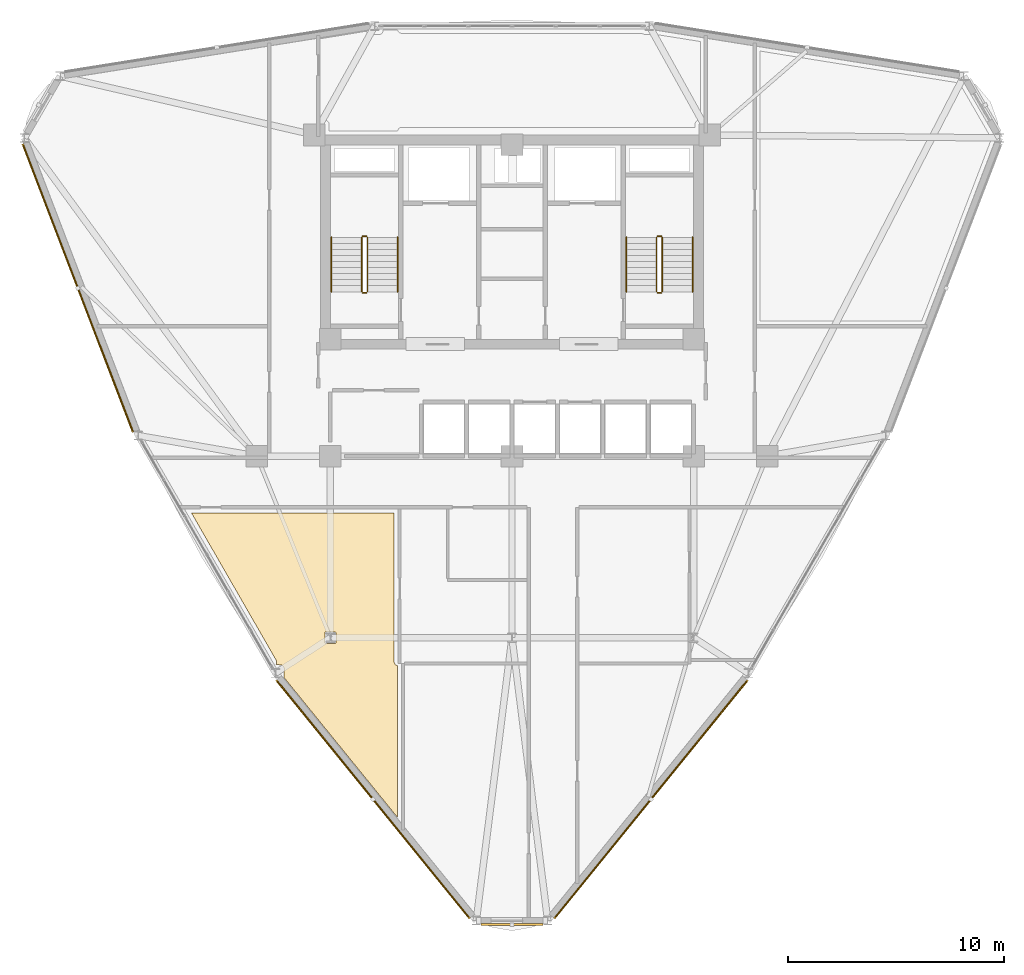
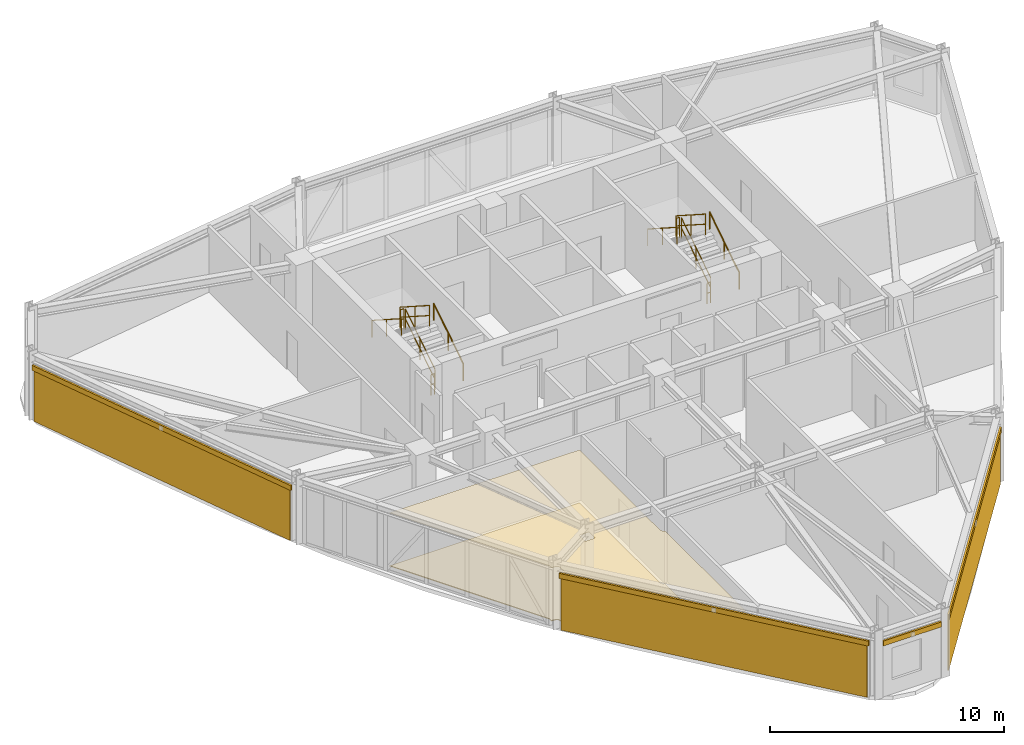
# One storey, part 13 of 14: 12 railings, 5 coverings, 4 shading devices.
"""IFC4 building model written with IfcOpenShell, lengths in metres."""

from ifc_helpers import new_model, si_unit, derived_unit, direction, frame, origin, origin_2d, place, context, subcontext, project, spatial, polyline, hollow_rectangle, circle, outline, extrude, source, transform, mapped, material, layer, layer_set, material_profile, profile_set, type_object, element, save


model = new_model("IFC4")

# Units and contexts
model_context = context("Model", 3, precision=1e-05, world=origin(), true_north=direction((0.0, 1.0)))
body_context = subcontext(model_context, "Body", "Model", "MODEL_VIEW")
ifc_project = project(units=[si_unit("LENGTHUNIT", "METRE"), si_unit("AREAUNIT", "SQUARE_METRE"), si_unit("VOLUMEUNIT", "CUBIC_METRE"), si_unit("PLANEANGLEUNIT", "RADIAN"), si_unit("MASSUNIT", "GRAM", prefix="KILO"), derived_unit("THERMALTRANSMITTANCEUNIT", [(si_unit("POWERUNIT", "WATT"), 1), (si_unit("LENGTHUNIT", "METRE"), -2), (si_unit("THERMODYNAMICTEMPERATUREUNIT", "KELVIN"), -1)])], contexts=[model_context])

# Site, building, storey
site_placement = place(None, origin())
site = spatial("IfcSite", under=ifc_project, at=site_placement, CompositionType="ELEMENT")
building_placement = place(site_placement, origin())
building = spatial("IfcBuilding", under=site, at=building_placement, Name="Korsvarv Bourse and Concert Hall", CompositionType="ELEMENT")
storey_placement = place(building_placement, frame((0.0, 0.0, 172.199951171875)))
storey = spatial("IfcBuildingStorey", under=building, at=storey_placement, Name="L44", CompositionType="ELEMENT", Elevation=172.199951171875)

# Coverings
ifc_material_1 = material(Name="Perforated mineral-wool and birch acoustic baffle ceiling", Category="wood")
ifc_layer_1 = layer(ifc_material_1, 0.02490234375)
ifc_layer_set_1 = layer_set([ifc_layer_1], Name="Perforated mineral-wool and birch acoustic baffle ceiling")
covering_type_1 = type_object("IfcCoveringType", Name="COV-CEIL-1", PredefinedType="CEILING", material=ifc_layer_set_1)
covering_1_placement = place(storey_placement, frame((0.0, 0.0, 2.780029296875)))
element("IfcCovering", 1, at=covering_1_placement, inside=storey, type_object=covering_type_1, Name="L44 acoustic baffle ceiling 3", PredefinedType="CEILING", context=body_context, shape_type="SweptSolid", body=[
    extrude(outline(polyline([(25.084228515625, 22.755615234375), (25.10205078125, 22.785400390625), (25.11376953125, 22.81787109375), (25.118896484375, 22.85205078125), (25.11767578125, 22.88671875), (25.109619140625, 22.92041015625), (25.09521484375, 22.951904296875), (21.172119140625, 29.77001953125), (30.550048828125, 29.77001953125), (30.550048828125, 22.889892578125), (30.5537109375, 22.853759765625), (30.564697265625, 22.819091796875), (30.582275390625, 22.787109375), (30.60595703125, 22.759521484375), (30.634765625, 22.7373046875), (30.66748046875, 22.72119140625), (30.70263671875, 22.712158203125), (30.7099609375, 15.679931640625), (25.444091796875, 22.1689453125), (25.453369140625, 22.56005859375), (25.45068359375, 22.59521484375), (25.44140625, 22.62890625), (25.425537109375, 22.660400390625), (25.404052734375, 22.688232421875), (25.37744140625, 22.711181640625), (25.346923828125, 22.728515625), (25.313720703125, 22.73974609375), (25.27880859375, 22.744140625), (25.084228515625, 22.755615234375)]), holes=[polyline([(27.37939453125, 23.734619140625), (27.805908203125, 23.732421875), (27.82958984375, 23.73828125), (27.84765625, 23.754638671875), (27.855712890625, 23.777587890625), (27.85595703125, 24.217529296875), (27.85009765625, 24.2412109375), (27.833740234375, 24.259033203125), (27.810791015625, 24.267333984375), (27.39404296875, 24.267578125), (27.370361328125, 24.26171875), (27.352294921875, 24.245361328125), (27.34423828125, 24.222412109375), (27.343994140625, 23.782470703125), (27.349853515625, 23.7587890625), (27.37939453125, 23.734619140625)])]), origin(), (0.0, 0.0, 1.0), 0.02490234375),
])
ifc_material_2 = material(Name="Warm iron-oxide extruded terracotta rainscreen tile", Category="ceramic")
ifc_layer_2 = layer(ifc_material_2, 0.044921875)
ifc_layer_set_2 = layer_set([ifc_layer_2], Name="Warm iron-oxide extruded terracotta rainscreen tile")
covering_type_2 = type_object("IfcCoveringType", Name="COV-CLD-TC", PredefinedType="CLADDING", material=ifc_layer_set_2)
covering_2_placement = place(storey_placement, origin())
element("IfcCovering", 2, at=covering_2_placement, inside=storey, type_object=covering_type_2, Name="L44 fluted terracotta cladding panel EW-L44-B06", PredefinedType="CLADDING", context=body_context, shape_type="SweptSolid", body=[
    extrude(outline(polyline([(13.43017578125, 46.7783203125), (18.478271484375, 33.58740234375), (18.436279296875, 33.5712890625), (13.38818359375, 46.76220703125), (13.43017578125, 46.7783203125)])), origin(), (0.0, 0.0, 1.0), 2.630126953125),
])
covering_3_placement = place(storey_placement, origin())
element("IfcCovering", 3, at=covering_3_placement, inside=storey, type_object=covering_type_2, Name="L44 fluted terracotta cladding panel EW-L44-B08", PredefinedType="CLADDING", context=body_context, shape_type="SweptSolid", body=[
    extrude(outline(polyline([(25.1787109375, 21.99609375), (34.0205078125, 11.1005859375), (33.9853515625, 11.072265625), (25.143798828125, 21.9677734375), (25.1787109375, 21.99609375)])), origin(), (0.0, 0.0, 1.0), 2.68994140625),
])
covering_4_placement = place(storey_placement, origin())
element("IfcCovering", 4, at=covering_4_placement, inside=storey, type_object=covering_type_2, Name="L44 fluted terracotta cladding panel EW-L44-B10", PredefinedType="CLADDING", context=body_context, shape_type="SweptSolid", body=[
    extrude(outline(polyline([(37.9794921875, 11.1005859375), (46.8212890625, 21.99609375), (46.856201171875, 21.9677734375), (38.0146484375, 11.072265625), (37.9794921875, 11.1005859375)])), origin(), (0.0, 0.0, 1.0), 2.68994140625),
])
ifc_material_3 = material(Name="Calcium-sulphate raised access trading floor with Nordic oak top", Category="wood")
ifc_layer_3 = layer(ifc_material_3, 0.0400390625)
ifc_layer_set_3 = layer_set([ifc_layer_3], Name="Calcium-sulphate raised access trading floor with Nordic oak top")
covering_type_3 = type_object("IfcCoveringType", Name="COV-FLOR-1", PredefinedType="FLOORING", material=ifc_layer_set_3)
covering_5_placement = place(storey_placement, origin())
element("IfcCovering", 5, at=covering_5_placement, inside=storey, type_object=covering_type_3, Name="L44 raised access oak floor finish 3", PredefinedType="FLOORING", context=body_context, shape_type="SweptSolid", body=[
    extrude(outline(polyline([(25.084228515625, 22.755615234375), (25.10205078125, 22.785400390625), (25.11376953125, 22.81787109375), (25.118896484375, 22.85205078125), (25.11767578125, 22.88671875), (25.109619140625, 22.92041015625), (25.09521484375, 22.951904296875), (21.172119140625, 29.77001953125), (30.550048828125, 29.77001953125), (30.550048828125, 22.889892578125), (30.5537109375, 22.853759765625), (30.564697265625, 22.819091796875), (30.582275390625, 22.787109375), (30.60595703125, 22.759521484375), (30.634765625, 22.7373046875), (30.66748046875, 22.72119140625), (30.70263671875, 22.712158203125), (30.7099609375, 15.679931640625), (25.444091796875, 22.1689453125), (25.453369140625, 22.56005859375), (25.45068359375, 22.59521484375), (25.44140625, 22.62890625), (25.425537109375, 22.660400390625), (25.404052734375, 22.688232421875), (25.37744140625, 22.711181640625), (25.346923828125, 22.728515625), (25.313720703125, 22.73974609375), (25.27880859375, 22.744140625), (25.084228515625, 22.755615234375)]), holes=[polyline([(27.37939453125, 23.734619140625), (27.805908203125, 23.732421875), (27.82958984375, 23.73828125), (27.84765625, 23.754638671875), (27.855712890625, 23.777587890625), (27.85595703125, 24.217529296875), (27.85009765625, 24.2412109375), (27.833740234375, 24.259033203125), (27.810791015625, 24.267333984375), (27.39404296875, 24.267578125), (27.370361328125, 24.26171875), (27.352294921875, 24.245361328125), (27.34423828125, 24.222412109375), (27.343994140625, 23.782470703125), (27.349853515625, 23.7587890625), (27.37939453125, 23.734619140625)])]), origin(), (0.0, 0.0, 1.0), 0.0400390625),
])

# Railings
ifc_material_4 = material(Name="Painted Steel S355 stair well guardrail", Category="steel")
railing_type_1 = type_object("IfcRailingType", Name="RL-ST-GRD", PredefinedType="GUARDRAIL", material=ifc_material_4)
railing_1_placement = place(storey_placement, frame((29.31005859375, 40.0, 0.179931640625)))
element("IfcRailing", 6, at=railing_1_placement, inside=storey, type_object=railing_type_1, Name="L44 ST-T1 stair guard 1", PredefinedType="GUARDRAIL", context=body_context, shape_type="SweptSolid", body=[
    extrude(circle(Radius=0.02392578125, at=origin_2d()), frame((0.0, 0.0, 1.076171875), z_axis=(0.0, 0.841162588446, 0.540782303519), x_axis=(-1.0, 0.0, 0.0)), (0.0, 0.0, 1.0), 2.995849609375),
    extrude(circle(Radius=0.02392578125, at=origin_2d()), frame((0.0, 0.0, 0.550048828125), z_axis=(0.0, 0.841162588446, 0.540782303519), x_axis=(-1.0, 0.0, 0.0)), (0.0, 0.0, 1.0), 2.995849609375),
    extrude(circle(Radius=0.02099609375, at=origin_2d()), origin(), (0.0, 0.0, 1.0), 1.052001953125),
    extrude(circle(Radius=0.02099609375, at=origin_2d()), frame((0.0, 1.260009765625, 0.81005859375)), (0.0, 0.0, 1.0), 1.052001953125),
    extrude(circle(Radius=0.02099609375, at=origin_2d()), frame((0.0, 2.52001953125, 1.6201171875)), (0.0, 0.0, 1.0), 1.052001953125),
])
railing_2_placement = place(storey_placement, frame((29.260009765625, 42.570068359375, 1.800048828125)))
element("IfcRailing", 7, at=railing_2_placement, inside=storey, type_object=railing_type_1, Name="L44 ST-T1 stair guard 2", PredefinedType="GUARDRAIL", context=body_context, shape_type="SweptSolid", body=[
    extrude(circle(Radius=0.02392578125, at=origin_2d()), frame((0.0, 0.0, 1.076171875), z_axis=(-1.0, 0.0, 0.0), x_axis=(0.0, -1.0, 0.0)), (0.0, 0.0, 1.0), 0.159912109375),
    extrude(circle(Radius=0.02392578125, at=origin_2d()), frame((0.0, 0.0, 0.550048828125), z_axis=(-1.0, 0.0, 0.0), x_axis=(0.0, -1.0, 0.0)), (0.0, 0.0, 1.0), 0.159912109375),
    extrude(circle(Radius=0.02099609375, at=origin_2d()), origin(), (0.0, 0.0, 1.0), 1.052001953125),
    extrude(circle(Radius=0.02099609375, at=origin_2d()), frame((-0.159912109375, 0.0, 0.0)), (0.0, 0.0, 1.0), 1.052001953125),
])
railing_3_placement = place(storey_placement, frame((29.050048828125, 42.52001953125, 1.97998046875)))
element("IfcRailing", 8, at=railing_3_placement, inside=storey, type_object=railing_type_1, Name="L44 ST-T1 stair guard 3", PredefinedType="GUARDRAIL", context=body_context, shape_type="SweptSolid", body=[
    extrude(circle(Radius=0.02392578125, at=origin_2d()), frame((0.0, 0.0, 1.076171875), z_axis=(0.0, -0.841162588446, 0.540782303519), x_axis=(1.0, 0.0, 0.0)), (0.0, 0.0, 1.0), 2.995849609375),
    extrude(circle(Radius=0.02392578125, at=origin_2d()), frame((0.0, 0.0, 0.550048828125), z_axis=(0.0, -0.841162588446, 0.540782303519), x_axis=(1.0, 0.0, 0.0)), (0.0, 0.0, 1.0), 2.995849609375),
    extrude(circle(Radius=0.02099609375, at=origin_2d()), origin(), (0.0, 0.0, 1.0), 1.052001953125),
    extrude(circle(Radius=0.02099609375, at=origin_2d()), frame((0.0, -1.260009765625, 0.81005859375)), (0.0, 0.0, 1.0), 1.052001953125),
    extrude(circle(Radius=0.02099609375, at=origin_2d()), frame((0.0, -2.52001953125, 1.6201171875)), (0.0, 0.0, 1.0), 1.052001953125),
])
railing_4_placement = place(storey_placement, frame((29.260009765625, 39.949951171875, 0.0)))
element("IfcRailing", 9, at=railing_4_placement, inside=storey, type_object=railing_type_1, Name="L44 ST-T1 stair guard 4", PredefinedType="GUARDRAIL", context=body_context, shape_type="SweptSolid", body=[
    extrude(circle(Radius=0.02392578125, at=origin_2d()), frame((0.0, 0.0, 1.076171875), z_axis=(-1.0, 0.0, 0.0), x_axis=(0.0, -1.0, 0.0)), (0.0, 0.0, 1.0), 0.159912109375),
    extrude(circle(Radius=0.02392578125, at=origin_2d()), frame((0.0, 0.0, 0.550048828125), z_axis=(-1.0, 0.0, 0.0), x_axis=(0.0, -1.0, 0.0)), (0.0, 0.0, 1.0), 0.159912109375),
    extrude(circle(Radius=0.02099609375, at=origin_2d()), origin(), (0.0, 0.0, 1.0), 1.052001953125),
    extrude(circle(Radius=0.02099609375, at=origin_2d()), frame((-0.159912109375, 0.0, 0.0)), (0.0, 0.0, 1.0), 1.052001953125),
])
railing_5_placement = place(storey_placement, frame((42.949951171875, 40.0, 0.179931640625)))
element("IfcRailing", 10, at=railing_5_placement, inside=storey, type_object=railing_type_1, Name="L44 ST-T2 stair guard 1", PredefinedType="GUARDRAIL", context=body_context, shape_type="SweptSolid", body=[
    extrude(circle(Radius=0.02392578125, at=origin_2d()), frame((0.0, 0.0, 1.076171875), z_axis=(0.0, 0.841162588446, 0.540782303519), x_axis=(-1.0, 0.0, 0.0)), (0.0, 0.0, 1.0), 2.995849609375),
    extrude(circle(Radius=0.02392578125, at=origin_2d()), frame((0.0, 0.0, 0.550048828125), z_axis=(0.0, 0.841162588446, 0.540782303519), x_axis=(-1.0, 0.0, 0.0)), (0.0, 0.0, 1.0), 2.995849609375),
    extrude(circle(Radius=0.02099609375, at=origin_2d()), origin(), (0.0, 0.0, 1.0), 1.052001953125),
    extrude(circle(Radius=0.02099609375, at=origin_2d()), frame((0.0, 1.260009765625, 0.81005859375)), (0.0, 0.0, 1.0), 1.052001953125),
    extrude(circle(Radius=0.02099609375, at=origin_2d()), frame((0.0, 2.52001953125, 1.6201171875)), (0.0, 0.0, 1.0), 1.052001953125),
])
railing_6_placement = place(storey_placement, frame((42.89990234375, 42.570068359375, 1.800048828125)))
element("IfcRailing", 11, at=railing_6_placement, inside=storey, type_object=railing_type_1, Name="L44 ST-T2 stair guard 2", PredefinedType="GUARDRAIL", context=body_context, shape_type="SweptSolid", body=[
    extrude(circle(Radius=0.02392578125, at=origin_2d()), frame((0.0, 0.0, 1.076171875), z_axis=(-1.0, 0.0, 0.0), x_axis=(0.0, -1.0, 0.0)), (0.0, 0.0, 1.0), 0.159912109375),
    extrude(circle(Radius=0.02392578125, at=origin_2d()), frame((0.0, 0.0, 0.550048828125), z_axis=(-1.0, 0.0, 0.0), x_axis=(0.0, -1.0, 0.0)), (0.0, 0.0, 1.0), 0.159912109375),
    extrude(circle(Radius=0.02099609375, at=origin_2d()), origin(), (0.0, 0.0, 1.0), 1.052001953125),
    extrude(circle(Radius=0.02099609375, at=origin_2d()), frame((-0.159912109375, 0.0, 0.0)), (0.0, 0.0, 1.0), 1.052001953125),
])
railing_7_placement = place(storey_placement, frame((42.68994140625, 42.52001953125, 1.97998046875)))
element("IfcRailing", 12, at=railing_7_placement, inside=storey, type_object=railing_type_1, Name="L44 ST-T2 stair guard 3", PredefinedType="GUARDRAIL", context=body_context, shape_type="SweptSolid", body=[
    extrude(circle(Radius=0.02392578125, at=origin_2d()), frame((0.0, 0.0, 1.076171875), z_axis=(0.0, -0.841162588446, 0.540782303519), x_axis=(1.0, 0.0, 0.0)), (0.0, 0.0, 1.0), 2.995849609375),
    extrude(circle(Radius=0.02392578125, at=origin_2d()), frame((0.0, 0.0, 0.550048828125), z_axis=(0.0, -0.841162588446, 0.540782303519), x_axis=(1.0, 0.0, 0.0)), (0.0, 0.0, 1.0), 2.995849609375),
    extrude(circle(Radius=0.02099609375, at=origin_2d()), origin(), (0.0, 0.0, 1.0), 1.052001953125),
    extrude(circle(Radius=0.02099609375, at=origin_2d()), frame((0.0, -1.260009765625, 0.81005859375)), (0.0, 0.0, 1.0), 1.052001953125),
    extrude(circle(Radius=0.02099609375, at=origin_2d()), frame((0.0, -2.52001953125, 1.6201171875)), (0.0, 0.0, 1.0), 1.052001953125),
])
railing_8_placement = place(storey_placement, frame((42.89990234375, 39.949951171875, 0.0)))
element("IfcRailing", 13, at=railing_8_placement, inside=storey, type_object=railing_type_1, Name="L44 ST-T2 stair guard 4", PredefinedType="GUARDRAIL", context=body_context, shape_type="SweptSolid", body=[
    extrude(circle(Radius=0.02392578125, at=origin_2d()), frame((0.0, 0.0, 1.076171875), z_axis=(-1.0, 0.0, 0.0), x_axis=(0.0, -1.0, 0.0)), (0.0, 0.0, 1.0), 0.159912109375),
    extrude(circle(Radius=0.02392578125, at=origin_2d()), frame((0.0, 0.0, 0.550048828125), z_axis=(-1.0, 0.0, 0.0), x_axis=(0.0, -1.0, 0.0)), (0.0, 0.0, 1.0), 0.159912109375),
    extrude(circle(Radius=0.02099609375, at=origin_2d()), origin(), (0.0, 0.0, 1.0), 1.052001953125),
    extrude(circle(Radius=0.02099609375, at=origin_2d()), frame((-0.159912109375, 0.0, 0.0)), (0.0, 0.0, 1.0), 1.052001953125),
])
ifc_material_5 = material(Name="Brushed stainless Steel S355 tubular handrail", Category="steel")
railing_type_2 = type_object("IfcRailingType", Name="RL-ST-HND", PredefinedType="HANDRAIL", material=ifc_material_5)
railing_9_placement = place(storey_placement, frame((30.7099609375, 40.0, 0.179931640625)))
element("IfcRailing", 14, at=railing_9_placement, inside=storey, type_object=railing_type_2, Name="L44 ST-T1 stair handrail 1", PredefinedType="HANDRAIL", context=body_context, shape_type="SweptSolid", body=[
    extrude(circle(Radius=0.02392578125, at=origin_2d()), frame((0.0, 0.0, 0.8759765625), z_axis=(0.0, 0.841162588446, 0.540782303519), x_axis=(-1.0, 0.0, 0.0)), (0.0, 0.0, 1.0), 2.995849609375),
    extrude(circle(Radius=0.02099609375, at=origin_2d()), origin(), (0.0, 0.0, 1.0), 0.851806640625),
    extrude(circle(Radius=0.02099609375, at=origin_2d()), frame((0.0, 1.260009765625, 0.81005859375)), (0.0, 0.0, 1.0), 0.851806640625),
    extrude(circle(Radius=0.02099609375, at=origin_2d()), frame((0.0, 2.52001953125, 1.6201171875)), (0.0, 0.0, 1.0), 0.851806640625),
])
railing_10_placement = place(storey_placement, frame((27.64990234375, 42.52001953125, 1.97998046875)))
element("IfcRailing", 15, at=railing_10_placement, inside=storey, type_object=railing_type_2, Name="L44 ST-T1 stair handrail 2", PredefinedType="HANDRAIL", context=body_context, shape_type="SweptSolid", body=[
    extrude(circle(Radius=0.02392578125, at=origin_2d()), frame((0.0, 0.0, 0.8759765625), z_axis=(0.0, -0.841162588446, 0.540782303519), x_axis=(1.0, 0.0, 0.0)), (0.0, 0.0, 1.0), 2.995849609375),
    extrude(circle(Radius=0.02099609375, at=origin_2d()), origin(), (0.0, 0.0, 1.0), 0.851806640625),
    extrude(circle(Radius=0.02099609375, at=origin_2d()), frame((0.0, -1.260009765625, 0.81005859375)), (0.0, 0.0, 1.0), 0.851806640625),
    extrude(circle(Radius=0.02099609375, at=origin_2d()), frame((0.0, -2.52001953125, 1.6201171875)), (0.0, 0.0, 1.0), 0.851806640625),
])
railing_11_placement = place(storey_placement, frame((44.35009765625, 40.0, 0.179931640625)))
element("IfcRailing", 16, at=railing_11_placement, inside=storey, type_object=railing_type_2, Name="L44 ST-T2 stair handrail 1", PredefinedType="HANDRAIL", context=body_context, shape_type="SweptSolid", body=[
    extrude(circle(Radius=0.02392578125, at=origin_2d()), frame((0.0, 0.0, 0.8759765625), z_axis=(0.0, 0.841162588446, 0.540782303519), x_axis=(-1.0, 0.0, 0.0)), (0.0, 0.0, 1.0), 2.995849609375),
    extrude(circle(Radius=0.02099609375, at=origin_2d()), origin(), (0.0, 0.0, 1.0), 0.851806640625),
    extrude(circle(Radius=0.02099609375, at=origin_2d()), frame((0.0, 1.260009765625, 0.81005859375)), (0.0, 0.0, 1.0), 0.851806640625),
    extrude(circle(Radius=0.02099609375, at=origin_2d()), frame((0.0, 2.52001953125, 1.6201171875)), (0.0, 0.0, 1.0), 0.851806640625),
])
railing_12_placement = place(storey_placement, frame((41.2900390625, 42.52001953125, 1.97998046875)))
element("IfcRailing", 17, at=railing_12_placement, inside=storey, type_object=railing_type_2, Name="L44 ST-T2 stair handrail 2", PredefinedType="HANDRAIL", context=body_context, shape_type="SweptSolid", body=[
    extrude(circle(Radius=0.02392578125, at=origin_2d()), frame((0.0, 0.0, 0.8759765625), z_axis=(0.0, -0.841162588446, 0.540782303519), x_axis=(1.0, 0.0, 0.0)), (0.0, 0.0, 1.0), 2.995849609375),
    extrude(circle(Radius=0.02099609375, at=origin_2d()), origin(), (0.0, 0.0, 1.0), 0.851806640625),
    extrude(circle(Radius=0.02099609375, at=origin_2d()), frame((0.0, -1.260009765625, 0.81005859375)), (0.0, 0.0, 1.0), 0.851806640625),
    extrude(circle(Radius=0.02099609375, at=origin_2d()), frame((0.0, -2.52001953125, 1.6201171875)), (0.0, 0.0, 1.0), 0.851806640625),
])

# Shading devices
ifc_material_6 = material(Name="Glazed extruded architectural terracotta", Category="ceramic")
ifc_material_profile = material_profile(ifc_material_6, hollow_rectangle(XDim=0.090087890625, YDim=0.260009765625, WallThickness=0.011962890625, at=origin_2d()), Name="TC-BAG 90x260")
ifc_profile_set = profile_set([ifc_material_profile], Name="Glazed extruded architectural terracotta")
shading_device_type = type_object("IfcShadingDeviceType", Name="SHD-BAG-1", PredefinedType="USERDEFINED", material=ifc_profile_set)
shared_shape_1 = source(origin(), body_context, "Body", "SweptSolid", [
    extrude(hollow_rectangle(XDim=0.090087890625, YDim=0.260009765625, WallThickness=0.011962890625, at=origin_2d()), origin(), (0.0, 0.0, 1.0), 14.283935546875),
])
shading_device_1_placement = place(storey_placement, frame((13.3642578125, 46.8388671875, 2.7900390625), z_axis=(0.357407179744, -0.933948664471, 0.0), x_axis=(0.933948664471, 0.357407179744, 0.0)))
element("IfcShadingDevice", 18, at=shading_device_1_placement, inside=storey, type_object=shading_device_type, Name="L44 terracotta baguette sunshade EW-L44-B06", ObjectType="BAGUETTE", PredefinedType="USERDEFINED", context=body_context, shape_type="MappedRepresentation", body=[
    mapped(shared_shape_1, transform((0.0, 0.0, 0.0), scale=1.0)),
])
shared_shape_2 = source(origin(), body_context, "Body", "SweptSolid", [
    extrude(hollow_rectangle(XDim=0.090087890625, YDim=0.260009765625, WallThickness=0.011962890625, at=origin_2d()), origin(), (0.0, 0.0, 1.0), 14.191650390625),
])
for number, where, z_axis, x_axis, name in (
    (19, (25.097412109375, 22.032958984375, 2.85009765625), (0.63011778054, -0.776499570281, 0.0), (0.776499570281, 0.63011778054, 0.0), "L44 terracotta baguette sunshade EW-L44-B08"),
    (20, (37.960205078125, 11.01318359375, 2.85009765625), (0.63011778054, 0.776499570281, 0.0), (-0.776499570281, 0.63011778054, 0.0), "L44 terracotta baguette sunshade EW-L44-B10"),
):
    element("IfcShadingDevice", number, at=place(storey_placement, frame(where, z_axis=z_axis, x_axis=x_axis)), inside=storey, type_object=shading_device_type, Name=name, ObjectType="BAGUETTE", PredefinedType="USERDEFINED", context=body_context, shape_type="MappedRepresentation", body=[
        mapped(shared_shape_2, transform((0.0, 0.0, 0.0), scale=1.0)),
    ])
shared_shape_3 = source(origin(), body_context, "Body", "SweptSolid", [
    extrude(hollow_rectangle(XDim=0.090087890625, YDim=0.260009765625, WallThickness=0.011962890625, at=origin_2d()), origin(), (0.0, 0.0, 1.0), 2.88720703125),
])
shading_device_2_placement = place(storey_placement, frame((34.556396484375, 10.7255859375, 2.85009765625), z_axis=(1.0, 0.0, 0.0), x_axis=(0.0, 1.0, 0.0)))
element("IfcShadingDevice", 21, at=shading_device_2_placement, inside=storey, type_object=shading_device_type, Name="L44 terracotta baguette sunshade EW-L44-B09", ObjectType="BAGUETTE", PredefinedType="USERDEFINED", context=body_context, shape_type="MappedRepresentation", body=[
    mapped(shared_shape_3, transform((0.0, 0.0, 0.0), scale=1.0)),
])

save(model, "model.ifc")
